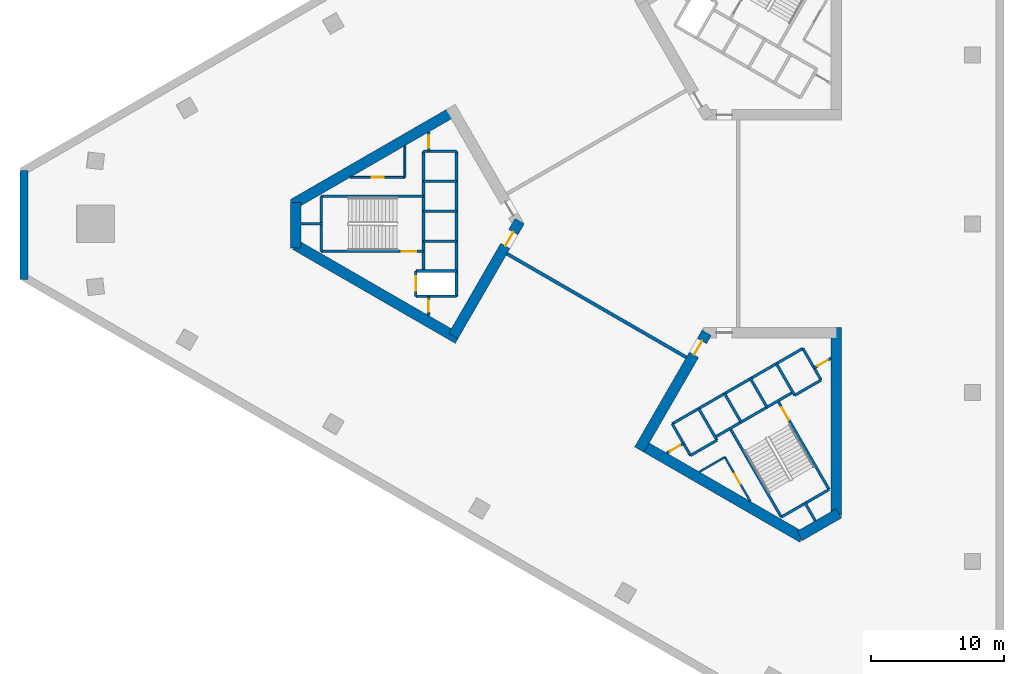
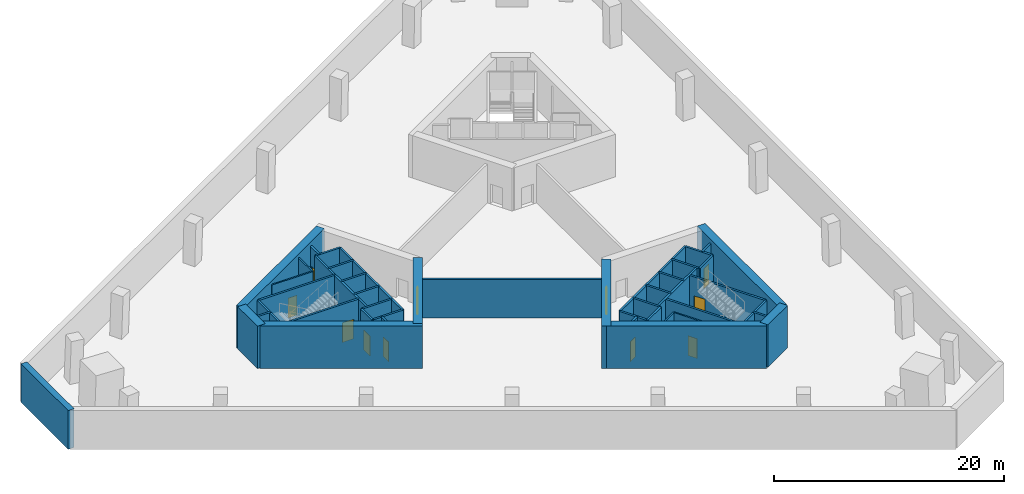
# One storey, part 2 of 6: 45 walls, 11 doors, 11 openings.
"""IFC4 building model written with IfcOpenShell, lengths in metres."""

from ifc_helpers import new_model, si_unit, direction, frame, frame_2d, origin, place, context, subcontext, project, spatial, rectangle, extrude, material, layer, layer_set, type_object, element, fill, save


model = new_model("IFC4")

# Units and contexts
model_context = context("Model", 3, precision=1e-05, world=origin(), true_north=direction((0.0, 1.0)))
body_context = subcontext(model_context, "Body", "Model", "MODEL_VIEW")
ifc_project = project(units=[si_unit("LENGTHUNIT", "METRE"), si_unit("AREAUNIT", "SQUARE_METRE"), si_unit("VOLUMEUNIT", "CUBIC_METRE"), si_unit("PLANEANGLEUNIT", "RADIAN"), si_unit("MASSUNIT", "GRAM", prefix="KILO")], contexts=[model_context])

# Site, building, storey
site_placement = place(None, origin())
site = spatial("IfcSite", under=ifc_project, at=site_placement, CompositionType="ELEMENT")
building_placement = place(site_placement, origin())
building = spatial("IfcBuilding", under=site, at=building_placement, Name="Jabali Bay Hotel Tower and Convention Centre", CompositionType="ELEMENT")
storey_placement = place(building_placement, frame((0.0, 0.0, -4.5)))
storey = spatial("IfcBuildingStorey", under=building, at=storey_placement, Name="B1", CompositionType="ELEMENT", Elevation=-4.5)

# Wall
ifc_material_1 = material(Name="Concrete C40", Category="concrete")
ifc_layer_1 = layer(ifc_material_1, 0.199951171875)
ifc_layer_set_1 = layer_set([ifc_layer_1], Name="Concrete C40")
wall_type_1 = type_object("IfcWallType", Name="Core partition wall 200", PredefinedType="PARTITIONING", material=ifc_layer_set_1)
wall_1_placement = place(storey_placement, frame((50.820068359375, 80.0, 0.0), z_axis=(0.0, 0.0, 1.0), x_axis=(-1.0, 0.0, 0.0)))
element("IfcWall", 1, at=wall_1_placement, inside=storey, type_object=wall_type_1, Name="Core wall 0.5 B1", PredefinedType="PARTITIONING", context=body_context, shape_type="SweptSolid", body=[
    extrude(rectangle(XDim=1.623046875, YDim=0.199951171875, at=frame_2d((0.8115234375, 0.0))), origin(), (0.0, 0.0, 1.0), 4.10009765625),
])

# Wall, opening, door
wall_2_placement = place(storey_placement, frame((58.820068359375, 86.916748046875, 0.0), z_axis=(0.0, 0.0, 1.0), x_axis=(0.0, -1.0, 0.0)))
wall_2 = element("IfcWall", 2, at=wall_2_placement, inside=storey, type_object=wall_type_1, Name="Core wall 0.11 B1", PredefinedType="PARTITIONING", context=body_context, shape_type="SweptSolid", body=[
    extrude(rectangle(XDim=1.466796875, YDim=0.199951171875, at=frame_2d((0.7333984375, 0.0))), origin(), (0.0, 0.0, 1.0), 4.10009765625),
])
opening_1_placement = place(wall_2_placement, frame((0.283447265625, 0.0, 0.0)))
opening_1 = element("IfcOpeningElement", 3, at=opening_1_placement, cuts=wall_2, Name="Opening D91", PredefinedType="OPENING", context=body_context, shape_type="SweptSolid", body=[
    extrude(rectangle(XDim=0.89990234375, YDim=2.10009765625, at=frame_2d((0.449951171875, 1.050048828125))), frame((0.0, 0.1103515625, 0.0), z_axis=(0.0, -1.0, 0.0), x_axis=(1.0, 0.0, 0.0)), (0.0, 0.0, 1.0), 0.220947265625),
])
ifc_material_2 = material(Name="Fire-rated steel door", Category="steel")
door_type_1 = type_object("IfcDoorType", Name="Vestibule fire door 900 x 2100", OperationType="NOTDEFINED", PredefinedType="NOTDEFINED", material=ifc_material_2)
door_1_placement = place(opening_1_placement, origin())
door_1 = element("IfcDoor", 4, at=door_1_placement, inside=storey, type_object=door_type_1, Name="Vestibule fire door D91", OperationType="SINGLE_SWING_LEFT", OverallHeight=2.10009765625, OverallWidth=0.89990234375, PredefinedType="NOTDEFINED", context=body_context, shape_type="SweptSolid", body=[
    extrude(rectangle(XDim=0.89990234375, YDim=2.10009765625, at=frame_2d((0.449951171875, 1.050048828125))), frame((0.0, 0.02490234375, 0.0), z_axis=(0.0, -1.0, 0.0), x_axis=(1.0, 0.0, 0.0)), (0.0, 0.0, 1.0), 0.050048828125),
])
fill(opening_1, door_1)

wall_3_placement = place(storey_placement, frame((58.800048828125, 74.550048828125, 0.0), z_axis=(0.0, 0.0, 1.0), x_axis=(0.0, -1.0, 0.0)))
wall_3 = element("IfcWall", 5, at=wall_3_placement, inside=storey, type_object=wall_type_1, Name="Core wall 0.12 B1", PredefinedType="PARTITIONING", context=body_context, shape_type="SweptSolid", body=[
    extrude(rectangle(XDim=1.455078125, YDim=0.199951171875, at=frame_2d((0.7275390625, 0.0))), origin(), (0.0, 0.0, 1.0), 4.10009765625),
])
opening_2_placement = place(wall_3_placement, frame((0.277587890625, 0.0, 0.0)))
opening_2 = element("IfcOpeningElement", 6, at=opening_2_placement, cuts=wall_3, Name="Opening D90", PredefinedType="OPENING", context=body_context, shape_type="SweptSolid", body=[
    extrude(rectangle(XDim=0.89990234375, YDim=2.10009765625, at=frame_2d((0.449951171875, 1.050048828125))), frame((0.0, 0.1103515625, 0.0), z_axis=(0.0, -1.0, 0.0), x_axis=(1.0, 0.0, 0.0)), (0.0, 0.0, 1.0), 0.220947265625),
])
door_2_placement = place(opening_2_placement, origin())
door_2 = element("IfcDoor", 7, at=door_2_placement, inside=storey, type_object=door_type_1, Name="Vestibule fire door D90", OperationType="SINGLE_SWING_LEFT", OverallHeight=2.10009765625, OverallWidth=0.89990234375, PredefinedType="NOTDEFINED", context=body_context, shape_type="SweptSolid", body=[
    extrude(rectangle(XDim=0.89990234375, YDim=2.10009765625, at=frame_2d((0.449951171875, 1.050048828125))), frame((0.0, 0.02490234375, 0.0), z_axis=(0.0, -1.0, 0.0), x_axis=(1.0, 0.0, 0.0)), (0.0, 0.0, 1.0), 0.050048828125),
])
fill(opening_2, door_2)

# Wall
wall_4_placement = place(storey_placement, frame((87.090087890625, 59.0595703125, 0.0), z_axis=(0.0, 0.0, 1.0), x_axis=(0.499956811548, -0.866050337213, 0.0)))
element("IfcWall", 8, at=wall_4_placement, inside=storey, type_object=wall_type_1, Name="Core wall 2.5 B1", PredefinedType="PARTITIONING", context=body_context, shape_type="SweptSolid", body=[
    extrude(rectangle(XDim=1.623291015625, YDim=0.199951171875, at=frame_2d((0.8115234375, 0.0))), origin(), (0.0, 0.0, 1.0), 4.10009765625),
])

# Wall, opening, door
wall_5_placement = place(storey_placement, frame((76.719970703125, 62.748779296875, 0.0), z_axis=(0.0, 0.0, 1.0), x_axis=(0.866054810376, 0.49994906283, 0.0)))
wall_5 = element("IfcWall", 9, at=wall_5_placement, inside=storey, type_object=wall_type_1, Name="Core wall 2.11 B1", PredefinedType="PARTITIONING", context=body_context, shape_type="SweptSolid", body=[
    extrude(rectangle(XDim=1.461181640625, YDim=0.199951171875, at=frame_2d((0.73046875, 0.0))), origin(), (0.0, 0.0, 1.0), 4.10009765625),
])
opening_3_placement = place(wall_5_placement, frame((0.280517578125, 0.0, 0.0)))
opening_3 = element("IfcOpeningElement", 10, at=opening_3_placement, cuts=wall_5, Name="Opening D103", PredefinedType="OPENING", context=body_context, shape_type="SweptSolid", body=[
    extrude(rectangle(XDim=0.89990234375, YDim=2.10009765625, at=frame_2d((0.449951171875, 1.050048828125))), frame((0.0, 0.1103515625, 0.0), z_axis=(0.0, -1.0, 0.0), x_axis=(1.0, 0.0, 0.0)), (0.0, 0.0, 1.0), 0.220947265625),
])
door_3_placement = place(opening_3_placement, origin())
door_3 = element("IfcDoor", 11, at=door_3_placement, inside=storey, type_object=door_type_1, Name="Vestibule fire door D103", OperationType="SINGLE_SWING_LEFT", OverallHeight=2.10009765625, OverallWidth=0.89990234375, PredefinedType="NOTDEFINED", context=body_context, shape_type="SweptSolid", body=[
    extrude(rectangle(XDim=0.89990234375, YDim=2.10009765625, at=frame_2d((0.449951171875, 1.050048828125))), frame((0.0, 0.02490234375, 0.0), z_axis=(0.0, -1.0, 0.0), x_axis=(1.0, 0.0, 0.0)), (0.0, 0.0, 1.0), 0.050048828125),
])
fill(opening_3, door_3)

wall_6_placement = place(storey_placement, frame((87.814697265625, 69.154296875, 0.0), z_axis=(0.0, 0.0, 1.0), x_axis=(0.866054810376, 0.49994906283, 0.0)))
wall_6 = element("IfcWall", 12, at=wall_6_placement, inside=storey, type_object=wall_type_1, Name="Core wall 2.12 B1", PredefinedType="PARTITIONING", context=body_context, shape_type="SweptSolid", body=[
    extrude(rectangle(XDim=1.461181640625, YDim=0.199951171875, at=frame_2d((0.73046875, 0.0))), origin(), (0.0, 0.0, 1.0), 4.10009765625),
])
opening_4_placement = place(wall_6_placement, frame((0.280517578125, 0.0, 0.0)))
opening_4 = element("IfcOpeningElement", 13, at=opening_4_placement, cuts=wall_6, Name="Opening D102", PredefinedType="OPENING", context=body_context, shape_type="SweptSolid", body=[
    extrude(rectangle(XDim=0.89990234375, YDim=2.10009765625, at=frame_2d((0.449951171875, 1.050048828125))), frame((0.0, 0.1103515625, 0.0), z_axis=(0.0, -1.0, 0.0), x_axis=(1.0, 0.0, 0.0)), (0.0, 0.0, 1.0), 0.220947265625),
])
door_4_placement = place(opening_4_placement, origin())
door_4 = element("IfcDoor", 14, at=door_4_placement, inside=storey, type_object=door_type_1, Name="Vestibule fire door D102", OperationType="SINGLE_SWING_LEFT", OverallHeight=2.10009765625, OverallWidth=0.89990234375, PredefinedType="NOTDEFINED", context=body_context, shape_type="SweptSolid", body=[
    extrude(rectangle(XDim=0.89990234375, YDim=2.10009765625, at=frame_2d((0.449951171875, 1.050048828125))), frame((0.0, 0.02490234375, 0.0), z_axis=(0.0, -1.0, 0.0), x_axis=(1.0, 0.0, 0.0)), (0.0, 0.0, 1.0), 0.050048828125),
])
fill(opening_4, door_4)

ifc_material_3 = material(Name="Fire-rated board partition")
ifc_layer_2 = layer(ifc_material_3, 0.14990234375)
ifc_layer_set_2 = layer_set([ifc_layer_2], Name="Fire-rated board partition")
wall_type_2 = type_object("IfcWallType", Name="Core room partition 150", PredefinedType="PARTITIONING", material=ifc_layer_set_2)
wall_7_placement = place(storey_placement, frame((57.02001953125, 83.5, 0.0), z_axis=(0.0, 0.0, 1.0), x_axis=(-1.0, 0.0, 0.0)))
wall_7 = element("IfcWall", 15, at=wall_7_placement, inside=storey, type_object=wall_type_2, Name="Core wall 0.1 B1", PredefinedType="PARTITIONING", context=body_context, shape_type="SweptSolid", body=[
    extrude(rectangle(XDim=4.117919921875, YDim=0.14990234375, at=frame_2d((2.05908203125, 0.0))), origin(), (0.0, 0.0, 1.0), 4.10009765625),
])
opening_5_placement = place(wall_7_placement, frame((1.58154296875, 0.0, 0.0)))
opening_5 = element("IfcOpeningElement", 16, at=opening_5_placement, cuts=wall_7, Name="Opening D93", PredefinedType="OPENING", context=body_context, shape_type="SweptSolid", body=[
    extrude(rectangle(XDim=0.89990234375, YDim=2.10009765625, at=frame_2d((0.449951171875, 1.050048828125))), frame((0.0, 0.08544921875, 0.0), z_axis=(0.0, -1.0, 0.0), x_axis=(1.0, 0.0, 0.0)), (0.0, 0.0, 1.0), 0.1708984375),
])
door_type_2 = type_object("IfcDoorType", Name="Core room door 900 x 2100", OperationType="NOTDEFINED", PredefinedType="NOTDEFINED", material=ifc_material_2)
door_5_placement = place(opening_5_placement, origin())
door_5 = element("IfcDoor", 17, at=door_5_placement, inside=storey, type_object=door_type_2, Name="Core room door D93", OperationType="SINGLE_SWING_LEFT", OverallHeight=2.10009765625, OverallWidth=0.89990234375, PredefinedType="NOTDEFINED", context=body_context, shape_type="SweptSolid", body=[
    extrude(rectangle(XDim=0.89990234375, YDim=2.10009765625, at=frame_2d((0.449951171875, 1.050048828125))), frame((0.0, 0.02490234375, 0.0), z_axis=(0.0, -1.0, 0.0), x_axis=(1.0, 0.0, 0.0)), (0.0, 0.0, 1.0), 0.050048828125),
])
fill(opening_5, door_5)

# Wall
wall_8_placement = place(storey_placement, frame((57.02001953125, 85.87744140625, 0.0), z_axis=(0.0, 0.0, 1.0), x_axis=(0.0, -1.0, 0.0)))
element("IfcWall", 18, at=wall_8_placement, inside=storey, type_object=wall_type_2, Name="Core wall 0.15 B1", PredefinedType="PARTITIONING", context=body_context, shape_type="SweptSolid", body=[
    extrude(rectangle(XDim=2.37744140625, YDim=0.14990234375, at=frame_2d((1.188720703125, 0.0))), origin(), (0.0, 0.0, 1.0), 4.10009765625),
])

# Wall, opening, door
wall_9_placement = place(storey_placement, frame((81.093994140625, 62.445068359375, 0.0), z_axis=(0.0, 0.0, 1.0), x_axis=(0.499987921047, -0.866032377459, 0.0)))
wall_9 = element("IfcWall", 19, at=wall_9_placement, inside=storey, type_object=wall_type_2, Name="Core wall 2.1 B1", PredefinedType="PARTITIONING", context=body_context, shape_type="SweptSolid", body=[
    extrude(rectangle(XDim=3.84765625, YDim=0.14990234375, at=frame_2d((1.923828125, 0.0))), origin(), (0.0, 0.0, 1.0), 4.10009765625),
])
opening_6_placement = place(wall_9_placement, frame((1.446533203125, 0.0, 0.0)))
opening_6 = element("IfcOpeningElement", 20, at=opening_6_placement, cuts=wall_9, Name="Opening D105", PredefinedType="OPENING", context=body_context, shape_type="SweptSolid", body=[
    extrude(rectangle(XDim=0.89990234375, YDim=2.10009765625, at=frame_2d((0.449951171875, 1.050048828125))), frame((0.0, 0.08544921875, 0.0), z_axis=(0.0, -1.0, 0.0), x_axis=(1.0, 0.0, 0.0)), (0.0, 0.0, 1.0), 0.1708984375),
])
door_6_placement = place(opening_6_placement, origin())
door_6 = element("IfcDoor", 21, at=door_6_placement, inside=storey, type_object=door_type_2, Name="Core room door D105", OperationType="SINGLE_SWING_LEFT", OverallHeight=2.10009765625, OverallWidth=0.89990234375, PredefinedType="NOTDEFINED", context=body_context, shape_type="SweptSolid", body=[
    extrude(rectangle(XDim=0.89990234375, YDim=2.10009765625, at=frame_2d((0.449951171875, 1.050048828125))), frame((0.0, 0.02490234375, 0.0), z_axis=(0.0, -1.0, 0.0), x_axis=(1.0, 0.0, 0.0)), (0.0, 0.0, 1.0), 0.050048828125),
])
fill(opening_6, door_6)

# Walls
wall_10_placement = place(storey_placement, frame((79.169921875, 61.334228515625, 0.0), z_axis=(0.0, 0.0, 1.0), x_axis=(0.866030041738, 0.499991966744, 0.0)))
element("IfcWall", 22, at=wall_10_placement, inside=storey, type_object=wall_type_2, Name="Core wall 2.16 B1", PredefinedType="PARTITIONING", context=body_context, shape_type="SweptSolid", body=[
    extrude(rectangle(XDim=2.2216796875, YDim=0.14990234375, at=frame_2d((1.11083984375, 0.0))), origin(), (0.0, 0.0, 1.0), 4.10009765625),
])
ifc_layer_3 = layer(ifc_material_1, 0.199951171875)
ifc_layer_set_3 = layer_set([ifc_layer_3], Name="Concrete C40")
wall_type_3 = type_object("IfcWallType", Name="Core stair wall 200", PredefinedType="SOLIDWALL", material=ifc_layer_set_3)
for number, where, z_axis, x_axis, name in (
    (23, (60.89990234375, 85.449951171875, 0.0), (0.0, 0.0, 1.0), (-1.0, 0.0, 0.0), "Core wall 0.0 B1"),
    (24, (60.89990234375, 83.199951171875, 0.0), (0.0, 0.0, 1.0), (-1.0, 0.0, 0.0), "Core wall 0.2 B1"),
):
    element("IfcWall", number, at=place(storey_placement, frame(where, z_axis=z_axis, x_axis=x_axis)), inside=storey, type_object=wall_type_3, Name=name, PredefinedType="SOLIDWALL", context=body_context, shape_type="SweptSolid", body=[
        extrude(rectangle(XDim=2.47998046875, YDim=0.199951171875, at=frame_2d((1.239990234375, 0.0))), origin(), (0.0, 0.0, 1.0), 4.10009765625),
    ])
wall_11_placement = place(storey_placement, frame((58.419921875, 82.074951171875, 0.0), z_axis=(0.0, 0.0, 1.0), x_axis=(-1.0, 0.0, 0.0)))
element("IfcWall", 25, at=wall_11_placement, inside=storey, type_object=wall_type_3, Name="Core wall 0.3 B1", PredefinedType="SOLIDWALL", context=body_context, shape_type="SweptSolid", body=[
    extrude(rectangle(XDim=7.699951171875, YDim=0.199951171875, at=frame_2d((3.85009765625, 0.0))), origin(), (0.0, 0.0, 1.0), 4.10009765625),
])
for number, where, z_axis, x_axis, name in (
    (26, (60.89990234375, 80.949951171875, 0.0), (0.0, 0.0, 1.0), (-1.0, 0.0, 0.0), "Core wall 0.4 B1"),
    (27, (60.89990234375, 78.699951171875, 0.0), (0.0, 0.0, 1.0), (-1.0, 0.0, 0.0), "Core wall 0.6 B1"),
):
    element("IfcWall", number, at=place(storey_placement, frame(where, z_axis=z_axis, x_axis=x_axis)), inside=storey, type_object=wall_type_3, Name=name, PredefinedType="SOLIDWALL", context=body_context, shape_type="SweptSolid", body=[
        extrude(rectangle(XDim=2.47998046875, YDim=0.199951171875, at=frame_2d((1.239990234375, 0.0))), origin(), (0.0, 0.0, 1.0), 4.10009765625),
    ])

# Wall, opening, door
wall_12_placement = place(storey_placement, frame((58.419921875, 77.925048828125, 0.0), z_axis=(0.0, 0.0, 1.0), x_axis=(-1.0, 0.0, 0.0)))
wall_12 = element("IfcWall", 28, at=wall_12_placement, inside=storey, type_object=wall_type_3, Name="Core wall 0.7 B1", PredefinedType="SOLIDWALL", context=body_context, shape_type="SweptSolid", body=[
    extrude(rectangle(XDim=7.699951171875, YDim=0.199951171875, at=frame_2d((3.85009765625, 0.0))), origin(), (0.0, 0.0, 1.0), 4.10009765625),
])
opening_7_placement = place(wall_12_placement, frame((0.550048828125, 0.0, 0.0)))
opening_7 = element("IfcOpeningElement", 29, at=opening_7_placement, cuts=wall_12, Name="Opening D92", PredefinedType="OPENING", context=body_context, shape_type="SweptSolid", body=[
    extrude(rectangle(XDim=1.10009765625, YDim=2.10009765625, at=frame_2d((0.550048828125, 1.050048828125))), frame((0.0, 0.1103515625, 0.0), z_axis=(0.0, -1.0, 0.0), x_axis=(1.0, 0.0, 0.0)), (0.0, 0.0, 1.0), 0.220947265625),
])
door_type_3 = type_object("IfcDoorType", Name="Stair fire door 1100 x 2100", OperationType="NOTDEFINED", PredefinedType="NOTDEFINED", material=ifc_material_2)
door_7_placement = place(opening_7_placement, origin())
door_7 = element("IfcDoor", 30, at=door_7_placement, inside=storey, type_object=door_type_3, Name="Stair fire door D92", OperationType="SINGLE_SWING_RIGHT", OverallHeight=2.10009765625, OverallWidth=1.10009765625, PredefinedType="NOTDEFINED", context=body_context, shape_type="SweptSolid", body=[
    extrude(rectangle(XDim=1.10009765625, YDim=2.10009765625, at=frame_2d((0.550048828125, 1.050048828125))), frame((0.0, 0.02490234375, 0.0), z_axis=(0.0, -1.0, 0.0), x_axis=(1.0, 0.0, 0.0)), (0.0, 0.0, 1.0), 0.050048828125),
])
fill(opening_7, door_7)

# Walls
for number, where, z_axis, x_axis, name in (
    (31, (60.89990234375, 76.449951171875, 0.0), (0.0, 0.0, 1.0), (-1.0, 0.0, 0.0), "Core wall 0.8 B1"),
    (32, (60.89990234375, 74.550048828125, 0.0), (0.0, 0.0, 1.0), (-1.0, 0.0, 0.0), "Core wall 0.9 B1"),
):
    element("IfcWall", number, at=place(storey_placement, frame(where, z_axis=z_axis, x_axis=x_axis)), inside=storey, type_object=wall_type_3, Name=name, PredefinedType="SOLIDWALL", context=body_context, shape_type="SweptSolid", body=[
        extrude(rectangle(XDim=3.0498046875, YDim=0.199951171875, at=frame_2d((1.52490234375, 0.0))), origin(), (0.0, 0.0, 1.0), 4.10009765625),
    ])
wall_13_placement = place(storey_placement, frame((60.89990234375, 85.449951171875, 0.0), z_axis=(0.0, 0.0, 1.0), x_axis=(0.0, -1.0, 0.0)))
element("IfcWall", 33, at=wall_13_placement, inside=storey, type_object=wall_type_3, Name="Core wall 0.10 B1", PredefinedType="SOLIDWALL", context=body_context, shape_type="SweptSolid", body=[
    extrude(rectangle(XDim=10.89990234375, YDim=0.199951171875, at=frame_2d((5.449951171875, 0.0))), origin(), (0.0, 0.0, 1.0), 4.10009765625),
])
wall_14_placement = place(storey_placement, frame((58.419921875, 85.449951171875, 0.0), z_axis=(0.0, 0.0, 1.0), x_axis=(0.0, -1.0, 0.0)))
element("IfcWall", 34, at=wall_14_placement, inside=storey, type_object=wall_type_3, Name="Core wall 0.13 B1", PredefinedType="SOLIDWALL", context=body_context, shape_type="SweptSolid", body=[
    extrude(rectangle(XDim=9.0, YDim=0.199951171875, at=frame_2d((4.5, 0.0))), origin(), (0.0, 0.0, 1.0), 4.10009765625),
])

# Wall, opening, door
wall_15_placement = place(storey_placement, frame((57.85009765625, 76.449951171875, 0.0), z_axis=(0.0, 0.0, 1.0), x_axis=(0.0, -1.0, 0.0)))
wall_15 = element("IfcWall", 35, at=wall_15_placement, inside=storey, type_object=wall_type_3, Name="Core wall 0.14 B1", PredefinedType="SOLIDWALL", context=body_context, shape_type="SweptSolid", body=[
    extrude(rectangle(XDim=1.89990234375, YDim=0.199951171875, at=frame_2d((0.949951171875, 0.0))), origin(), (0.0, 0.0, 1.0), 4.10009765625),
])
opening_8_placement = place(wall_15_placement, frame((0.39990234375, 0.0, 0.0)))
opening_8 = element("IfcOpeningElement", 36, at=opening_8_placement, cuts=wall_15, Name="Opening LD5-B1", PredefinedType="OPENING", context=body_context, shape_type="SweptSolid", body=[
    extrude(rectangle(XDim=1.10009765625, YDim=2.10009765625, at=frame_2d((0.550048828125, 1.050048828125))), frame((0.0, 0.1103515625, 0.0), z_axis=(0.0, -1.0, 0.0), x_axis=(1.0, 0.0, 0.0)), (0.0, 0.0, 1.0), 0.220947265625),
])
ifc_material_4 = material(Name="Stainless steel landing door", Category="steel")
door_type_4 = type_object("IfcDoorType", Name="Landing door 1100 x 2100", OperationType="NOTDEFINED", PredefinedType="NOTDEFINED", material=ifc_material_4)
door_8_placement = place(opening_8_placement, origin())
door_8 = element("IfcDoor", 37, at=door_8_placement, inside=storey, type_object=door_type_4, Name="Landing doors LD5-B1", OperationType="SLIDING_TO_RIGHT", OverallHeight=2.10009765625, OverallWidth=1.10009765625, PredefinedType="NOTDEFINED", context=body_context, shape_type="SweptSolid", body=[
    extrude(rectangle(XDim=1.10009765625, YDim=2.10009765625, at=frame_2d((0.550048828125, 1.050048828125))), frame((0.0, 0.02490234375, 0.0), z_axis=(0.0, -1.0, 0.0), x_axis=(1.0, 0.0, 0.0)), (0.0, 0.0, 1.0), 0.050048828125),
])
fill(opening_8, door_8)

# Walls
wall_16_placement = place(storey_placement, frame((50.719970703125, 82.074951171875, 0.0), z_axis=(0.0, 0.0, 1.0), x_axis=(0.0, -1.0, 0.0)))
element("IfcWall", 38, at=wall_16_placement, inside=storey, type_object=wall_type_3, Name="Core wall 0.16 B1", PredefinedType="SOLIDWALL", context=body_context, shape_type="SweptSolid", body=[
    extrude(rectangle(XDim=4.14990234375, YDim=0.199951171875, at=frame_2d((2.074951171875, 0.0))), origin(), (0.0, 0.0, 1.0), 4.10009765625),
])
for number, where, z_axis, x_axis, name in (
    (39, (77.13525390625, 64.95166015625, 0.0), (0.0, 0.0, 1.0), (0.499996545922, -0.866027397988, 0.0), "Core wall 2.0 B1"),
    (40, (79.127197265625, 66.1015625, 0.0), (0.0, 0.0, 1.0), (0.499996545922, -0.866027397988, 0.0), "Core wall 2.2 B1"),
):
    element("IfcWall", number, at=place(storey_placement, frame(where, z_axis=z_axis, x_axis=x_axis)), inside=storey, type_object=wall_type_3, Name=name, PredefinedType="SOLIDWALL", context=body_context, shape_type="SweptSolid", body=[
        extrude(rectangle(XDim=2.75, YDim=0.199951171875, at=frame_2d((1.375, 0.0))), origin(), (0.0, 0.0, 1.0), 4.10009765625),
    ])
wall_17_placement = place(storey_placement, frame((81.492919921875, 64.603759765625, 0.0), z_axis=(0.0, 0.0, 1.0), x_axis=(0.500006057782, -0.866021906294, 0.0)))
element("IfcWall", 41, at=wall_17_placement, inside=storey, type_object=wall_type_3, Name="Core wall 2.3 B1", PredefinedType="SOLIDWALL", context=body_context, shape_type="SweptSolid", body=[
    extrude(rectangle(XDim=7.7001953125, YDim=0.199951171875, at=frame_2d((3.85009765625, 0.0))), origin(), (0.0, 0.0, 1.0), 4.10009765625),
])
for number, where, z_axis, x_axis, name in (
    (42, (81.07568359375, 67.2265625, 0.0), (0.0, 0.0, 1.0), (0.50000366821, -0.866023285932, 0.0), "Core wall 2.4 B1"),
    (43, (83.024169921875, 68.3515625, 0.0), (0.0, 0.0, 1.0), (0.50000366821, -0.866023285932, 0.0), "Core wall 2.6 B1"),
):
    element("IfcWall", number, at=place(storey_placement, frame(where, z_axis=z_axis, x_axis=x_axis)), inside=storey, type_object=wall_type_3, Name=name, PredefinedType="SOLIDWALL", context=body_context, shape_type="SweptSolid", body=[
        extrude(rectangle(XDim=2.47998046875, YDim=0.199951171875, at=frame_2d((1.239990234375, 0.0))), origin(), (0.0, 0.0, 1.0), 4.10009765625),
    ])

# Wall, opening, door
wall_18_placement = place(storey_placement, frame((85.0869140625, 66.6787109375, 0.0), z_axis=(0.0, 0.0, 1.0), x_axis=(0.500019787375, -0.866013979237, 0.0)))
wall_18 = element("IfcWall", 44, at=wall_18_placement, inside=storey, type_object=wall_type_3, Name="Core wall 2.7 B1", PredefinedType="SOLIDWALL", context=body_context, shape_type="SweptSolid", body=[
    extrude(rectangle(XDim=7.699951171875, YDim=0.199951171875, at=frame_2d((3.85009765625, 0.0))), origin(), (0.0, 0.0, 1.0), 4.10009765625),
])
opening_9_placement = place(wall_18_placement, frame((0.550048828125, 0.0, 0.0)))
opening_9 = element("IfcOpeningElement", 45, at=opening_9_placement, cuts=wall_18, Name="Opening D104", PredefinedType="OPENING", context=body_context, shape_type="SweptSolid", body=[
    extrude(rectangle(XDim=1.10009765625, YDim=2.10009765625, at=frame_2d((0.550048828125, 1.050048828125))), frame((0.0, 0.1103515625, 0.0), z_axis=(0.0, -1.0, 0.0), x_axis=(1.0, 0.0, 0.0)), (0.0, 0.0, 1.0), 0.220947265625),
])
door_9_placement = place(opening_9_placement, origin())
door_9 = element("IfcDoor", 46, at=door_9_placement, inside=storey, type_object=door_type_3, Name="Stair fire door D104", OperationType="SINGLE_SWING_RIGHT", OverallHeight=2.10009765625, OverallWidth=1.10009765625, PredefinedType="NOTDEFINED", context=body_context, shape_type="SweptSolid", body=[
    extrude(rectangle(XDim=1.10009765625, YDim=2.10009765625, at=frame_2d((0.550048828125, 1.050048828125))), frame((0.0, 0.02490234375, 0.0), z_axis=(0.0, -1.0, 0.0), x_axis=(1.0, 0.0, 0.0)), (0.0, 0.0, 1.0), 0.050048828125),
])
fill(opening_9, door_9)

# Walls
for number, where, z_axis, x_axis, name in (
    (47, (84.972900390625, 69.4765625, 0.0), (0.0, 0.0, 1.0), (0.499996545922, -0.866027397988, 0.0), "Core wall 2.8 B1"),
    (48, (86.964599609375, 70.62646484375, 0.0), (0.0, 0.0, 1.0), (0.499996545922, -0.866027397988, 0.0), "Core wall 2.9 B1"),
):
    element("IfcWall", number, at=place(storey_placement, frame(where, z_axis=z_axis, x_axis=x_axis)), inside=storey, type_object=wall_type_3, Name=name, PredefinedType="SOLIDWALL", context=body_context, shape_type="SweptSolid", body=[
        extrude(rectangle(XDim=2.75, YDim=0.199951171875, at=frame_2d((1.375, 0.0))), origin(), (0.0, 0.0, 1.0), 4.10009765625),
    ])
wall_19_placement = place(storey_placement, frame((77.13525390625, 64.95166015625, 0.0), z_axis=(0.0, 0.0, 1.0), x_axis=(0.866031916153, 0.499988720078, 0.0)))
element("IfcWall", 49, at=wall_19_placement, inside=storey, type_object=wall_type_3, Name="Core wall 2.10 B1", PredefinedType="SOLIDWALL", context=body_context, shape_type="SweptSolid", body=[
    extrude(rectangle(XDim=11.349853515625, YDim=0.199951171875, at=frame_2d((5.6748046875, 0.0))), origin(), (0.0, 0.0, 1.0), 4.10009765625),
])
wall_20_placement = place(storey_placement, frame((80.3671875, 63.953857421875, 0.0), z_axis=(0.0, 0.0, 1.0), x_axis=(0.866026575979, 0.499997969693, 0.0)))
element("IfcWall", 50, at=wall_20_placement, inside=storey, type_object=wall_type_3, Name="Core wall 2.13 B1", PredefinedType="SOLIDWALL", context=body_context, shape_type="SweptSolid", body=[
    extrude(rectangle(XDim=6.75, YDim=0.199951171875, at=frame_2d((3.375, 0.0))), origin(), (0.0, 0.0, 1.0), 4.10009765625),
])
wall_21_placement = place(storey_placement, frame((78.51025390625, 62.570068359375, 0.0), z_axis=(0.0, 0.0, 1.0), x_axis=(0.866053019151, 0.499952165731, 0.0)))
element("IfcWall", 51, at=wall_21_placement, inside=storey, type_object=wall_type_3, Name="Core wall 2.14 B1", PredefinedType="SOLIDWALL", context=body_context, shape_type="SweptSolid", body=[
    extrude(rectangle(XDim=2.300048828125, YDim=0.199951171875, at=frame_2d((1.14990234375, 0.0))), origin(), (0.0, 0.0, 1.0), 4.10009765625),
])
wall_22_placement = place(storey_placement, frame((86.347900390625, 67.094970703125, 0.0), z_axis=(0.0, 0.0, 1.0), x_axis=(0.86602648383, 0.499998129301, 0.0)))
element("IfcWall", 52, at=wall_22_placement, inside=storey, type_object=wall_type_3, Name="Core wall 2.15 B1", PredefinedType="SOLIDWALL", context=body_context, shape_type="SweptSolid", body=[
    extrude(rectangle(XDim=2.2998046875, YDim=0.199951171875, at=frame_2d((1.14990234375, 0.0))), origin(), (0.0, 0.0, 1.0), 4.10009765625),
])
wall_23_placement = place(storey_placement, frame((85.343017578125, 57.935302734375, 0.0), z_axis=(0.0, 0.0, 1.0), x_axis=(0.866004344652, 0.500036473714, 0.0)))
element("IfcWall", 53, at=wall_23_placement, inside=storey, type_object=wall_type_3, Name="Core wall 2.17 B1", PredefinedType="SOLIDWALL", context=body_context, shape_type="SweptSolid", body=[
    extrude(rectangle(XDim=4.150146484375, YDim=0.199951171875, at=frame_2d((2.0751953125, 0.0))), origin(), (0.0, 0.0, 1.0), 4.10009765625),
])
ifc_material_5 = material(Name="Concrete C60", Category="concrete")
ifc_layer_4 = layer(ifc_material_5, 0.800048828125)
ifc_layer_set_4 = layer_set([ifc_layer_4], Name="Concrete C60")
wall_type_4 = type_object("IfcWallType", Name="Core wall 800", PredefinedType="SHEAR", material=ifc_layer_set_4)
wall_24_placement = place(storey_placement, frame((60.66357421875, 88.44287109375, 0.0), z_axis=(0.0, 0.0, 1.0), x_axis=(-0.866029478545, -0.499992942241, 0.0)))
element("IfcWall", 54, at=wall_24_placement, inside=storey, type_object=wall_type_4, Name="Core wall 1.2 B1", PredefinedType="SHEAR", context=body_context, shape_type="SweptSolid", body=[
    extrude(rectangle(XDim=13.933349609375, YDim=0.800048828125, at=frame_2d((6.966796875, 0.0))), origin(), (0.0, 0.0, 1.0), 4.5),
])
wall_25_placement = place(storey_placement, frame((48.796875, 81.591796875, 0.0), z_axis=(0.0, 0.0, 1.0), x_axis=(0.0, -1.0, 0.0)))
element("IfcWall", 55, at=wall_25_placement, inside=storey, type_object=wall_type_4, Name="Core wall 1.3 B1", PredefinedType="SHEAR", context=body_context, shape_type="SweptSolid", body=[
    extrude(rectangle(XDim=3.41455078125, YDim=0.800048828125, at=frame_2d((1.707275390625, 0.0))), origin(), (0.0, 0.0, 1.0), 4.5),
])
wall_26_placement = place(storey_placement, frame((48.796875, 78.408203125, 0.0), z_axis=(0.0, 0.0, 1.0), x_axis=(0.866032504327, -0.499987701298, 0.0)))
element("IfcWall", 56, at=wall_26_placement, inside=storey, type_object=wall_type_4, Name="Core wall 1.4 B1", PredefinedType="SHEAR", context=body_context, shape_type="SweptSolid", body=[
    extrude(rectangle(XDim=14.102294921875, YDim=0.800048828125, at=frame_2d((7.05126953125, 0.0))), origin(), (0.0, 0.0, 1.0), 4.5),
])

# Wall, opening, door
wall_27_placement = place(storey_placement, frame((60.66357421875, 71.55712890625, 0.0), z_axis=(0.0, 0.0, 1.0), x_axis=(0.50000409368, 0.866023040284, 0.0)))
wall_27 = element("IfcWall", 57, at=wall_27_placement, inside=storey, type_object=wall_type_4, Name="Core wall 1.5 B1", PredefinedType="SHEAR", context=body_context, shape_type="SweptSolid", body=[
    extrude(rectangle(XDim=9.97998046875, YDim=0.800048828125, at=frame_2d((4.989990234375, 0.0))), origin(), (0.0, 0.0, 1.0), 4.5),
])
opening_10_placement = place(wall_27_placement, frame((7.830078125, 0.0, 0.0)))
opening_10 = element("IfcOpeningElement", 58, at=opening_10_placement, cuts=wall_27, Name="Opening D89", PredefinedType="OPENING", context=body_context, shape_type="SweptSolid", body=[
    extrude(rectangle(XDim=1.199951171875, YDim=2.10009765625, at=frame_2d((0.60009765625, 1.050048828125))), frame((0.0, 0.41064453125, 0.0), z_axis=(0.0, -1.0, 0.0), x_axis=(1.0, 0.0, 0.0)), (0.0, 0.0, 1.0), 0.821044921875),
])
door_type_5 = type_object("IfcDoorType", Name="Corridor end fire door 1200 x 2100", OperationType="NOTDEFINED", PredefinedType="NOTDEFINED", material=ifc_material_2)
door_10_placement = place(opening_10_placement, origin())
door_10 = element("IfcDoor", 59, at=door_10_placement, inside=storey, type_object=door_type_5, Name="Corridor end fire door D89", OperationType="SINGLE_SWING_LEFT", OverallHeight=2.10009765625, OverallWidth=1.199951171875, PredefinedType="NOTDEFINED", context=body_context, shape_type="SweptSolid", body=[
    extrude(rectangle(XDim=1.199951171875, YDim=2.10009765625, at=frame_2d((0.60009765625, 1.050048828125))), frame((0.0, 0.02490234375, 0.0), z_axis=(0.0, -1.0, 0.0), x_axis=(1.0, 0.0, 0.0)), (0.0, 0.0, 1.0), 0.050048828125),
])
fill(opening_10, door_10)

wall_28_placement = place(storey_placement, frame((79.73095703125, 71.8056640625, 0.0), z_axis=(0.0, 0.0, 1.0), x_axis=(-0.49999662545, -0.866027352073, 0.0)))
wall_28 = element("IfcWall", 60, at=wall_28_placement, inside=storey, type_object=wall_type_4, Name="Core wall 3.1 B1", PredefinedType="SHEAR", context=body_context, shape_type="SweptSolid", body=[
    extrude(rectangle(XDim=10.14892578125, YDim=0.800048828125, at=frame_2d((5.074462890625, 0.0))), origin(), (0.0, 0.0, 1.0), 4.5),
])
opening_11_placement = place(wall_28_placement, frame((0.718994140625, 0.0, 0.0)))
opening_11 = element("IfcOpeningElement", 61, at=opening_11_placement, cuts=wall_28, Name="Opening D100", PredefinedType="OPENING", context=body_context, shape_type="SweptSolid", body=[
    extrude(rectangle(XDim=1.199951171875, YDim=2.10009765625, at=frame_2d((0.60009765625, 1.050048828125))), frame((0.0, 0.41064453125, 0.0), z_axis=(0.0, -1.0, 0.0), x_axis=(1.0, 0.0, 0.0)), (0.0, 0.0, 1.0), 0.821044921875),
])
door_11_placement = place(opening_11_placement, origin())
door_11 = element("IfcDoor", 62, at=door_11_placement, inside=storey, type_object=door_type_5, Name="Corridor end fire door D100", OperationType="SINGLE_SWING_RIGHT", OverallHeight=2.10009765625, OverallWidth=1.199951171875, PredefinedType="NOTDEFINED", context=body_context, shape_type="SweptSolid", body=[
    extrude(rectangle(XDim=1.199951171875, YDim=2.10009765625, at=frame_2d((0.60009765625, 1.050048828125))), frame((0.0, 0.02490234375, 0.0), z_axis=(0.0, -1.0, 0.0), x_axis=(1.0, 0.0, 0.0)), (0.0, 0.0, 1.0), 0.050048828125),
])
fill(opening_11, door_11)

# Walls
wall_29_placement = place(storey_placement, frame((74.8564453125, 63.36279296875, 0.0), z_axis=(0.0, 0.0, 1.0), x_axis=(0.866029478545, -0.499992942241, 0.0)))
element("IfcWall", 63, at=wall_29_placement, inside=storey, type_object=wall_type_4, Name="Core wall 3.2 B1", PredefinedType="SHEAR", context=body_context, shape_type="SweptSolid", body=[
    extrude(rectangle(XDim=13.933349609375, YDim=0.800048828125, at=frame_2d((6.966796875, 0.0))), origin(), (0.0, 0.0, 1.0), 4.5),
])
wall_30_placement = place(storey_placement, frame((86.72314453125, 56.51171875, 0.0), z_axis=(0.0, 0.0, 1.0), x_axis=(0.866034355626, 0.499984494636, 0.0)))
element("IfcWall", 64, at=wall_30_placement, inside=storey, type_object=wall_type_4, Name="Core wall 3.3 B1", PredefinedType="SHEAR", context=body_context, shape_type="SweptSolid", body=[
    extrude(rectangle(XDim=3.4140625, YDim=0.800048828125, at=frame_2d((1.70703125, 0.0))), origin(), (0.0, 0.0, 1.0), 4.5),
])
wall_31_placement = place(storey_placement, frame((89.47998046875, 58.103271484375, 0.0), z_axis=(0.0, 0.0, 1.0), x_axis=(0.0, 1.0, 0.0)))
element("IfcWall", 65, at=wall_31_placement, inside=storey, type_object=wall_type_4, Name="Core wall 3.4 B1", PredefinedType="SHEAR", context=body_context, shape_type="SweptSolid", body=[
    extrude(rectangle(XDim=14.1025390625, YDim=0.800048828125, at=frame_2d((7.05126953125, 0.0))), origin(), (0.0, 0.0, 1.0), 4.5),
])
ifc_layer_5 = layer(ifc_material_5, 0.25)
ifc_layer_set_5 = layer_set([ifc_layer_5], Name="Concrete C60")
wall_type_5 = type_object("IfcWallType", Name="Corridor wall 250", PredefinedType="SHEAR", material=ifc_layer_set_5)
wall_32_placement = place(storey_placement, frame((64.699951171875, 77.748291015625, 0.0), z_axis=(0.0, 0.0, 1.0), x_axis=(0.866026492143, -0.499998114903, 0.0)))
element("IfcWall", 66, at=wall_32_placement, inside=storey, type_object=wall_type_5, Name="Corridor wall 3 B1", PredefinedType="SHEAR", context=body_context, shape_type="SweptSolid", body=[
    extrude(rectangle(XDim=15.58837890625, YDim=0.25, at=frame_2d((7.794189453125, 0.0))), origin(), (0.0, 0.0, 1.0), 4.10009765625),
])
ifc_layer_6 = layer(ifc_material_1, 0.60009765625)
ifc_layer_set_6 = layer_set([ifc_layer_6], Name="Concrete C40")
wall_type_6 = type_object("IfcWallType", Name="Retaining wall 600", PredefinedType="SOLIDWALL", material=ifc_layer_set_6)
wall_33_placement = place(storey_placement, frame((28.3603515625, 84.0185546875, 0.0), z_axis=(0.0, 0.0, 1.0), x_axis=(0.0, -1.0, 0.0)))
element("IfcWall", 67, at=wall_33_placement, inside=storey, type_object=wall_type_6, Name="Retaining wall B1 4", PredefinedType="SOLIDWALL", context=body_context, shape_type="SweptSolid", body=[
    extrude(rectangle(XDim=8.210205078125, YDim=0.60009765625, at=frame_2d((4.10498046875, 0.0))), origin(), (0.0, 0.0, 1.0), 4.10009765625),
])

save(model, "model.ifc")
